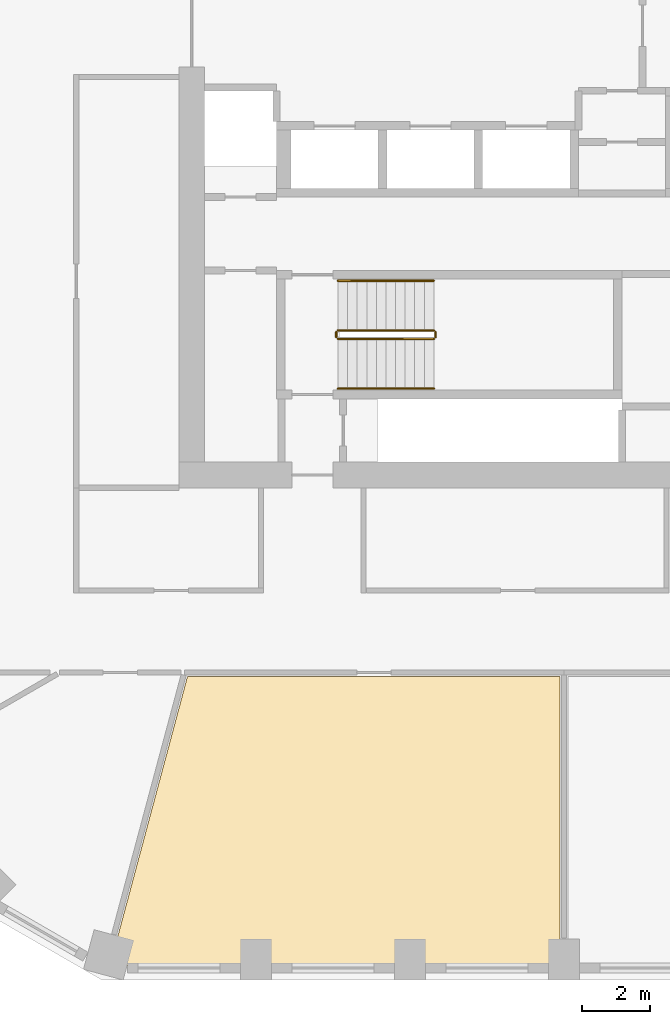
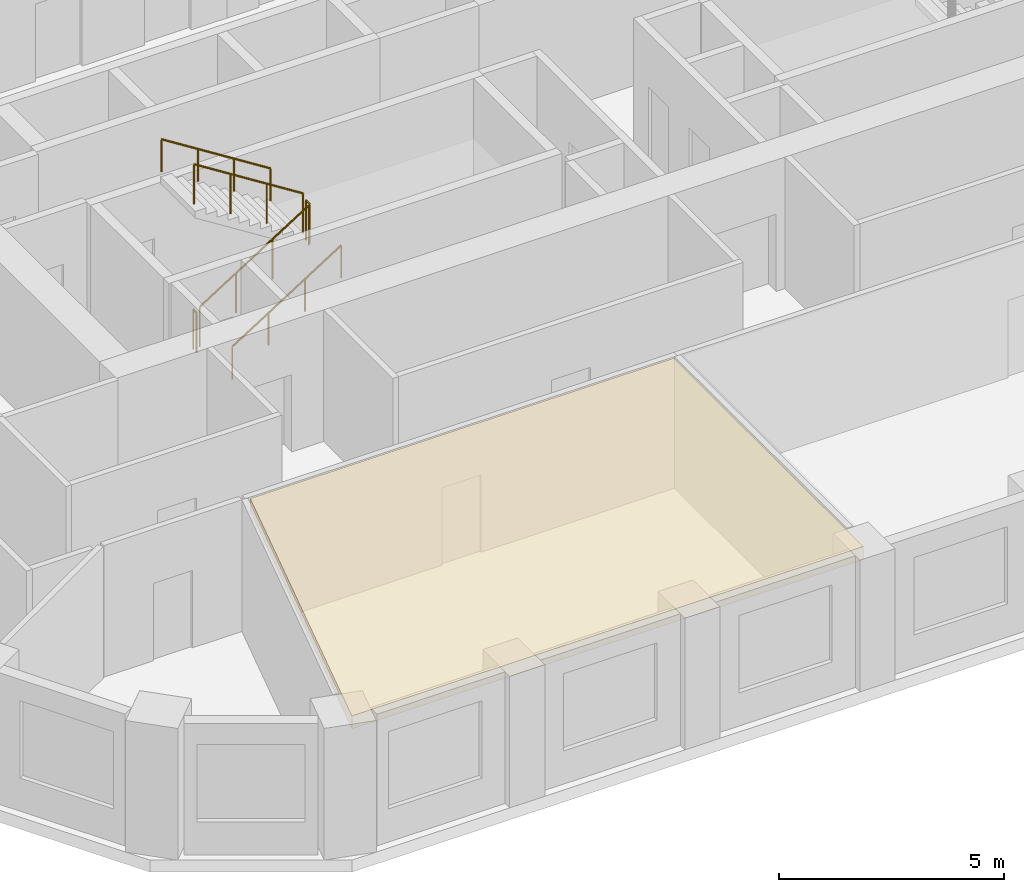
# One storey, part 10 of 14: 6 railings, 1 covering.
"""IFC4 building model written with IfcOpenShell, lengths in metres."""

from ifc_helpers import new_model, si_unit, direction, frame, origin, origin_2d, place, context, subcontext, project, spatial, polyline, circle, outline, extrude, material, layer, layer_set, type_object, element, save


model = new_model("IFC4")

# Units and contexts
model_context = context("Model", 3, precision=1e-05, world=origin(), true_north=direction((0.0, 1.0)))
body_context = subcontext(model_context, "Body", "Model", "MODEL_VIEW")
ifc_project = project(units=[si_unit("LENGTHUNIT", "METRE"), si_unit("AREAUNIT", "SQUARE_METRE"), si_unit("VOLUMEUNIT", "CUBIC_METRE"), si_unit("PLANEANGLEUNIT", "RADIAN"), si_unit("MASSUNIT", "GRAM", prefix="KILO")], contexts=[model_context])

# Site, building, storey
site_placement = place(None, origin())
site = spatial("IfcSite", under=ifc_project, at=site_placement, CompositionType="ELEMENT")
building_placement = place(site_placement, origin())
building = spatial("IfcBuilding", under=site, at=building_placement, Name="Dhurran Vertical Campus", CompositionType="ELEMENT")
storey_placement = place(building_placement, frame((0.0, 0.0, 136.5)))
storey = spatial("IfcBuildingStorey", under=building, at=storey_placement, Name="L33", CompositionType="ELEMENT", Elevation=136.5)

# Railings
ifc_material_1 = material(Name="Stainless steel balustrade", Category="steel")
railing_type_1 = type_object("IfcRailingType", Name="co-RL-GUARD-1100", PredefinedType="GUARDRAIL", material=ifc_material_1)
railing_1_placement = place(storey_placement, frame((-11.10009765625, -9.14990234375, 0.17724609375)))
element("IfcRailing", 1, at=railing_1_placement, inside=storey, type_object=railing_type_1, Name="L33 ST3 stair guard 1", PredefinedType="GUARDRAIL", context=body_context, shape_type="SweptSolid", body=[
    extrude(circle(Radius=0.02392578125, at=origin_2d()), frame((0.0, 0.0, 1.076171875), z_axis=(0.844908973607, 0.0, 0.534910110503), x_axis=(0.0, 1.0, 0.0)), (0.0, 0.0, 1.0), 3.31396484375),
    extrude(circle(Radius=0.02099609375, at=origin_2d()), origin(), (0.0, 0.0, 1.0), 1.052001953125),
    extrude(circle(Radius=0.02099609375, at=origin_2d()), frame((0.933349609375, 0.0, 0.5908203125)), (0.0, 0.0, 1.0), 1.052001953125),
    extrude(circle(Radius=0.02099609375, at=origin_2d()), frame((1.86669921875, 0.0, 1.181884765625)), (0.0, 0.0, 1.0), 1.052001953125),
    extrude(circle(Radius=0.02099609375, at=origin_2d()), frame((2.800048828125, 0.0, 1.772705078125)), (0.0, 0.0, 1.0), 1.052001953125),
])
railing_2_placement = place(storey_placement, frame((-8.25, -9.10009765625, 1.949951171875)))
element("IfcRailing", 2, at=railing_2_placement, inside=storey, type_object=railing_type_1, Name="L33 ST3 stair guard 2", PredefinedType="GUARDRAIL", context=body_context, shape_type="SweptSolid", body=[
    extrude(circle(Radius=0.02392578125, at=origin_2d()), frame((0.0, 0.0, 1.076171875), z_axis=(0.0, 1.0, 0.0), x_axis=(-1.0, 0.0, 0.0)), (0.0, 0.0, 1.0), 0.150146484375),
    extrude(circle(Radius=0.02099609375, at=origin_2d()), origin(), (0.0, 0.0, 1.0), 1.052001953125),
    extrude(circle(Radius=0.02099609375, at=origin_2d()), frame((0.0, 0.150146484375, 0.0)), (0.0, 0.0, 1.0), 1.052001953125),
])
railing_3_placement = place(storey_placement, frame((-8.300048828125, -8.89990234375, 2.127197265625)))
element("IfcRailing", 3, at=railing_3_placement, inside=storey, type_object=railing_type_1, Name="L33 ST3 stair guard 3", PredefinedType="GUARDRAIL", context=body_context, shape_type="SweptSolid", body=[
    extrude(circle(Radius=0.02392578125, at=origin_2d()), frame((0.0, 0.0, 1.076171875), z_axis=(-0.844908973607, 0.0, 0.534910110503), x_axis=(0.0, -1.0, 0.0)), (0.0, 0.0, 1.0), 3.31396484375),
    extrude(circle(Radius=0.02099609375, at=origin_2d()), origin(), (0.0, 0.0, 1.0), 1.052001953125),
    extrude(circle(Radius=0.02099609375, at=origin_2d()), frame((-0.933349609375, 0.0, 0.5908203125)), (0.0, 0.0, 1.0), 1.052001953125),
    extrude(circle(Radius=0.02099609375, at=origin_2d()), frame((-1.86669921875, 0.0, 1.181884765625)), (0.0, 0.0, 1.0), 1.052001953125),
    extrude(circle(Radius=0.02099609375, at=origin_2d()), frame((-2.800048828125, 0.0, 1.772705078125)), (0.0, 0.0, 1.0), 1.052001953125),
])
railing_4_placement = place(storey_placement, frame((-11.14990234375, -9.10009765625, 0.0)))
element("IfcRailing", 4, at=railing_4_placement, inside=storey, type_object=railing_type_1, Name="L33 ST3 stair guard 4", PredefinedType="GUARDRAIL", context=body_context, shape_type="SweptSolid", body=[
    extrude(circle(Radius=0.02392578125, at=origin_2d()), frame((0.0, 0.0, 1.076171875), z_axis=(0.0, 1.0, 0.0), x_axis=(-1.0, 0.0, 0.0)), (0.0, 0.0, 1.0), 0.150146484375),
    extrude(circle(Radius=0.02099609375, at=origin_2d()), origin(), (0.0, 0.0, 1.0), 1.052001953125),
    extrude(circle(Radius=0.02099609375, at=origin_2d()), frame((0.0, 0.150146484375, 0.0)), (0.0, 0.0, 1.0), 1.052001953125),
])
ifc_material_2 = material(Name="Stainless steel handrail", Category="steel")
railing_type_2 = type_object("IfcRailingType", Name="co-RL-HANDRAIL-900", PredefinedType="HANDRAIL", material=ifc_material_2)
railing_5_placement = place(storey_placement, frame((-11.10009765625, -10.60009765625, 0.17724609375)))
element("IfcRailing", 5, at=railing_5_placement, inside=storey, type_object=railing_type_2, Name="L33 ST3 stair handrail 1", PredefinedType="HANDRAIL", context=body_context, shape_type="SweptSolid", body=[
    extrude(circle(Radius=0.02392578125, at=origin_2d()), frame((0.0, 0.0, 0.8759765625), z_axis=(0.844908973607, 0.0, 0.534910110503), x_axis=(0.0, 1.0, 0.0)), (0.0, 0.0, 1.0), 3.31396484375),
    extrude(circle(Radius=0.02099609375, at=origin_2d()), origin(), (0.0, 0.0, 1.0), 0.851806640625),
    extrude(circle(Radius=0.02099609375, at=origin_2d()), frame((0.933349609375, 0.0, 0.5908203125)), (0.0, 0.0, 1.0), 0.851806640625),
    extrude(circle(Radius=0.02099609375, at=origin_2d()), frame((1.86669921875, 0.0, 1.181884765625)), (0.0, 0.0, 1.0), 0.851806640625),
    extrude(circle(Radius=0.02099609375, at=origin_2d()), frame((2.800048828125, 0.0, 1.772705078125)), (0.0, 0.0, 1.0), 0.851806640625),
])
railing_6_placement = place(storey_placement, frame((-8.300048828125, -7.449951171875, 2.127197265625)))
element("IfcRailing", 6, at=railing_6_placement, inside=storey, type_object=railing_type_2, Name="L33 ST3 stair handrail 2", PredefinedType="HANDRAIL", context=body_context, shape_type="SweptSolid", body=[
    extrude(circle(Radius=0.02392578125, at=origin_2d()), frame((0.0, 0.0, 0.8759765625), z_axis=(-0.844908973607, 0.0, 0.534910110503), x_axis=(0.0, -1.0, 0.0)), (0.0, 0.0, 1.0), 3.31396484375),
    extrude(circle(Radius=0.02099609375, at=origin_2d()), origin(), (0.0, 0.0, 1.0), 0.851806640625),
    extrude(circle(Radius=0.02099609375, at=origin_2d()), frame((-0.933349609375, 0.0, 0.5908203125)), (0.0, 0.0, 1.0), 0.851806640625),
    extrude(circle(Radius=0.02099609375, at=origin_2d()), frame((-1.86669921875, 0.0, 1.181884765625)), (0.0, 0.0, 1.0), 0.851806640625),
    extrude(circle(Radius=0.02099609375, at=origin_2d()), frame((-2.800048828125, 0.0, 1.772705078125)), (0.0, 0.0, 1.0), 0.851806640625),
])

# Covering
ifc_material_3 = material(Name="Mineral fibre ceiling tiles on suspended grid")
ifc_layer = layer(ifc_material_3, 0.35009765625)
ifc_layer_set = layer_set([ifc_layer], Name="Mineral fibre ceiling tiles on suspended grid")
covering_type = type_object("IfcCoveringType", Name="fl-CE-350 suspended ceiling", PredefinedType="CEILING", material=ifc_layer_set)
covering_placement = place(storey_placement, frame((0.0, 0.0, 3.22509765625)))
element("IfcCovering", 7, at=covering_placement, inside=storey, type_object=covering_type, Name="Ceiling 33-17", PredefinedType="CEILING", context=body_context, shape_type="SweptSolid", body=[
    extrude(outline(polyline([(-4.6201171875, -27.462890625), (-17.763916015625, -27.462890625), (-15.5009765625, -19.02001953125), (-4.6201171875, -19.02001953125), (-4.6201171875, -27.462890625)])), origin(), (0.0, 0.0, 1.0), 0.349853515625),
])

save(model, "model.ifc")
